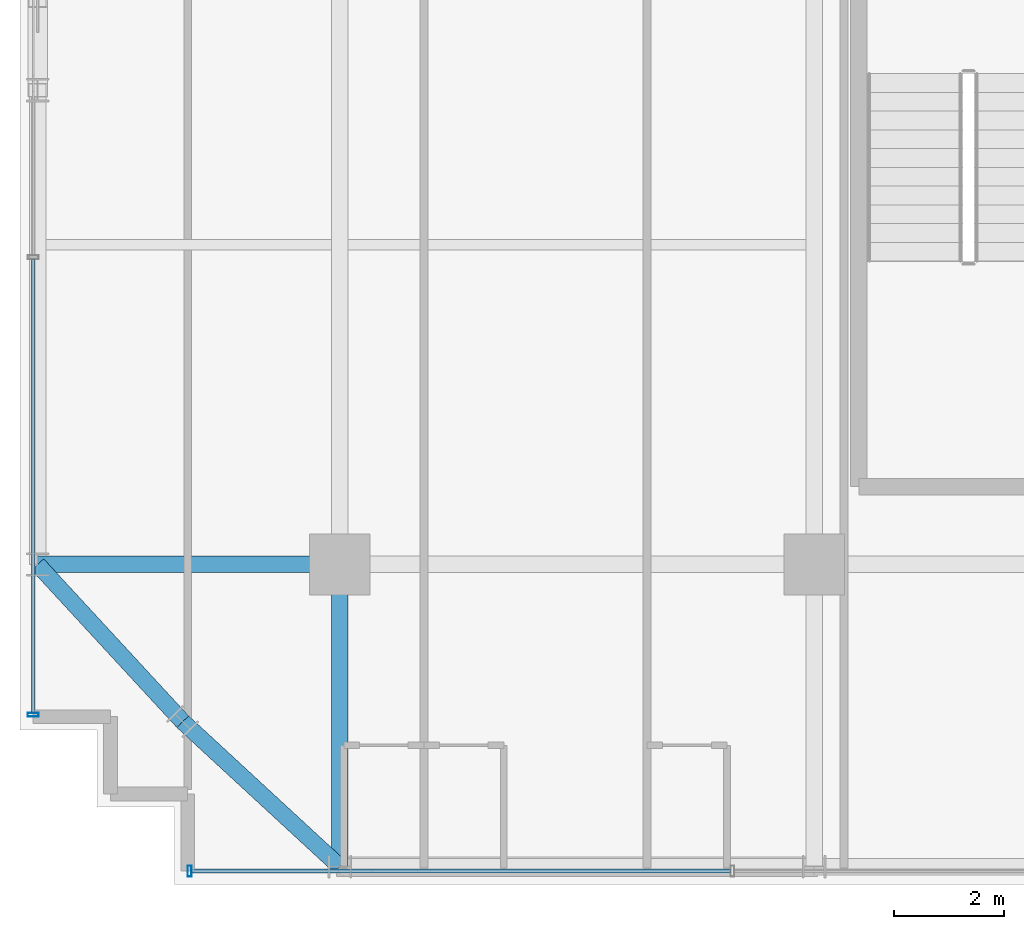
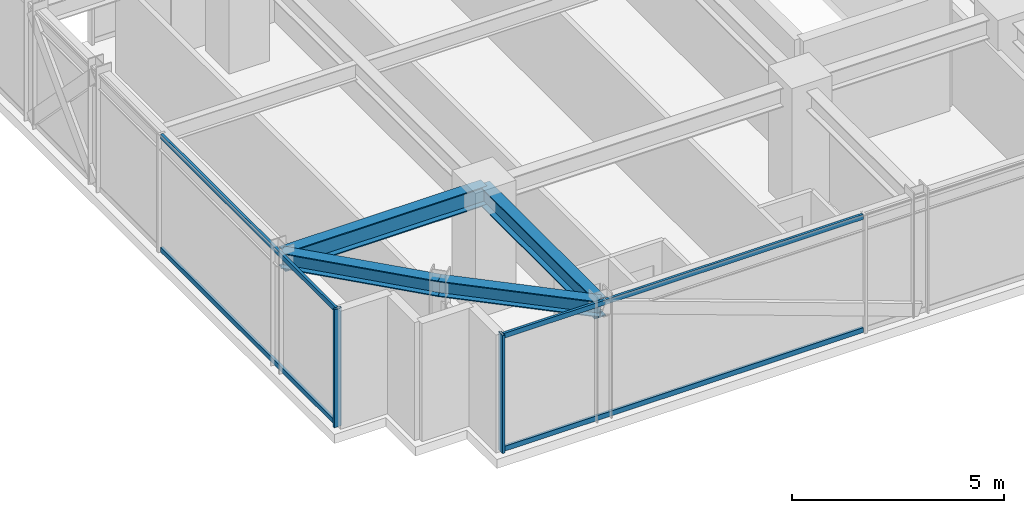
# One storey, part 2 of 36: 6 members, 4 beams, 2 elements without a shape of their own.
"""IFC4 building model written with IfcOpenShell, lengths in metres."""

import ifcopenshell
import ifcopenshell.guid

model = None  # the IFC model being written
_history = None  # IfcOwnerHistory: only IFC2X3 demands one
_inside = {}  # id of a spatial element -> (the spatial element, [elements in it])
_under = {}  # id of a project, library or spatial element -> (it, [spatial elements below it])
_declared = {}  # id of a project -> (the project, [libraries it declares])
_typed = {}  # id of a type object -> (the type object, [elements of that type])
_made_of = {}  # id of a material, layer set ... -> (it, [elements and type objects made of it])


def new_model(schema):
    """Start an empty IFC model of exactly this schema.

    Asked for "IFC4X3", IfcOpenShell would pick the latest addendum, in which some entities
    have other attributes; the version numbers below select the first issue.
    IFC2X3 requires an IfcOwnerHistory on every rooted entity: one is made here for all.
    """
    global model, _history
    if schema == "IFC4X3":
        model = ifcopenshell.file(schema_version=(4, 3, 0, 0))
    else:
        model = ifcopenshell.file(schema=schema)
    _inside.clear()
    _under.clear()
    _declared.clear()
    _typed.clear()
    _made_of.clear()
    _history = None
    if model.schema == "IFC2X3":
        org = make("IfcOrganization", Name="unknown")
        user = make(
            "IfcPersonAndOrganization",
            ThePerson=make("IfcPerson", FamilyName="unknown"),
            TheOrganization=org,
        )
        app = make(
            "IfcApplication",
            ApplicationDeveloper=org,
            Version="unknown",
            ApplicationFullName="unknown",
            ApplicationIdentifier="unknown",
        )
        _history = make(
            "IfcOwnerHistory",
            OwningUser=user,
            OwningApplication=app,
            ChangeAction="ADDED",
            CreationDate=0,
        )
    return model


def make(cls, **values):
    """One entity of the class cls with the attributes given. An attribute that is None is left unset."""
    return model.create_entity(
        cls, **{name: value for name, value in values.items() if value is not None}
    )


def rooted(cls, **values):
    """An entity with a GlobalId (a new one), such as an element, a storey or a relation."""
    return make(cls, GlobalId=ifcopenshell.guid.new(), OwnerHistory=_history, **values)


def si_unit(unit_type, name, prefix=None):
    """IfcSIUnit, for example si_unit("LENGTHUNIT", "METRE", prefix="MILLI")."""
    return make("IfcSIUnit", UnitType=unit_type, Prefix=prefix, Name=name)


def assignment(units):
    """IfcUnitAssignment: the units of a project."""
    return None if units is None else make("IfcUnitAssignment", Units=units)


def point(xyz):
    """IfcCartesianPoint."""
    return None if xyz is None else make("IfcCartesianPoint", Coordinates=xyz)


def direction(xyz):
    """IfcDirection."""
    return None if xyz is None else make("IfcDirection", DirectionRatios=xyz)


def frame(location, z_axis=None, x_axis=None):
    """IfcAxis2Placement3D, a coordinate frame: its origin and axes. An axis left out is left unset."""
    return make(
        "IfcAxis2Placement3D",
        Location=point(location),
        Axis=direction(z_axis),
        RefDirection=direction(x_axis),
    )


def frame_2d(location, x_axis=None):
    """IfcAxis2Placement2D, a coordinate frame in the plane: its origin and x axis."""
    return make(
        "IfcAxis2Placement2D", Location=point(location), RefDirection=direction(x_axis)
    )


def origin():
    """The frame at (0, 0, 0) with its axes left unset."""
    return frame((0.0, 0.0, 0.0))


def origin_2d():
    """The frame at (0, 0) in the plane with its x axis left unset."""
    return frame_2d((0.0, 0.0))


def place(relative_to, where):
    """IfcLocalPlacement: puts the frame where relative to a parent placement (None: the world)."""
    return make(
        "IfcLocalPlacement", PlacementRelTo=relative_to, RelativePlacement=where
    )


def context(
    kind, dimensions, precision=None, world=None, true_north=None, identifier=None
):
    """IfcGeometricRepresentationContext, for example the 3D "Model" context."""
    return make(
        "IfcGeometricRepresentationContext",
        ContextIdentifier=identifier,
        ContextType=kind,
        CoordinateSpaceDimension=dimensions,
        Precision=precision,
        WorldCoordinateSystem=world,
        TrueNorth=true_north,
    )


def subcontext(parent, identifier, kind, view, scale=None):
    """IfcGeometricRepresentationSubContext, for example "Body" below "Model"."""
    return make(
        "IfcGeometricRepresentationSubContext",
        ContextIdentifier=identifier,
        ContextType=kind,
        ParentContext=parent,
        TargetScale=scale,
        TargetView=view,
    )


def project(units=None, contexts=None):
    """IfcProject with its units and contexts."""
    return rooted(
        "IfcProject",
        Name="project",
        RepresentationContexts=contexts,
        UnitsInContext=assignment(units),
    )


def spatial(cls, under=None, at=None, **own):
    """A site, building, storey or space (cls), placed at a placement, below another one or the project."""
    s = rooted(cls, ObjectPlacement=at, **own)
    if under is not None:
        _under.setdefault(under.id(), (under, []))[1].append(s)
    return s


def profile(cls, at=None, kind="AREA", **sizes):
    """A parametric profile (cls). Its sizes go by their IFC names, for example OverallWidth=200.0."""
    return make(cls, ProfileType=kind, Position=at, **sizes)


def hollow_rectangle(**sizes):
    """IfcRectangleHollowProfileDef."""
    return profile("IfcRectangleHollowProfileDef", **sizes)


def i_section(**sizes):
    """IfcIShapeProfileDef."""
    return profile("IfcIShapeProfileDef", **sizes)


def extrude(swept, where, along, depth):
    """IfcExtrudedAreaSolid: the profile swept, set in the frame where, extruded along a direction by depth."""
    return make(
        "IfcExtrudedAreaSolid",
        SweptArea=swept,
        Position=where,
        ExtrudedDirection=direction(along),
        Depth=depth,
    )


def shape(context_of_items, identifier, shape_type, items):
    """IfcShapeRepresentation: the items that make up one representation, for example the "Body"."""
    return make(
        "IfcShapeRepresentation",
        ContextOfItems=context_of_items,
        RepresentationIdentifier=identifier,
        RepresentationType=shape_type,
        Items=items,
    )


def source(mapping_origin, context_of_items, identifier, shape_type, items):
    """IfcRepresentationMap: a shape defined once, which mapped items show again and again."""
    return make(
        "IfcRepresentationMap",
        MappingOrigin=mapping_origin,
        MappedRepresentation=shape(context_of_items, identifier, shape_type, items),
    )


def transform(
    local_origin,
    x_axis=None,
    y_axis=None,
    z_axis=None,
    scale=None,
    scale2=None,
    scale3=None,
    uniform=True,
):
    """IfcCartesianTransformationOperator3D, or its non-uniform kind. x_axis, y_axis, z_axis: its Axis1, 2, 3."""
    if uniform:
        return make(
            "IfcCartesianTransformationOperator3D",
            Axis1=direction(x_axis),
            Axis2=direction(y_axis),
            LocalOrigin=point(local_origin),
            Scale=scale,
            Axis3=direction(z_axis),
        )
    return make(
        "IfcCartesianTransformationOperator3DnonUniform",
        Axis1=direction(x_axis),
        Axis2=direction(y_axis),
        LocalOrigin=point(local_origin),
        Scale=scale,
        Axis3=direction(z_axis),
        Scale2=scale2,
        Scale3=scale3,
    )


def mapped(mapping_source, mapping_target):
    """IfcMappedItem: shows the shape of a source again, moved by a transform."""
    return make(
        "IfcMappedItem", MappingSource=mapping_source, MappingTarget=mapping_target
    )


def material(Name=None, Category=None):
    """IfcMaterial."""
    return make("IfcMaterial", Name=Name, Category=Category)


def material_profile(
    of_material, cross_section, Name=None, Category=None, Priority=None
):
    """IfcMaterialProfile: a cross section and its material."""
    return make(
        "IfcMaterialProfile",
        Name=Name,
        Material=of_material,
        Profile=cross_section,
        Priority=Priority,
        Category=Category,
    )


def profile_set(profiles, Name=None, composite=None):
    """IfcMaterialProfileSet."""
    return make(
        "IfcMaterialProfileSet",
        Name=Name,
        MaterialProfiles=profiles,
        CompositeProfile=composite,
    )


def made_of(thing, what):
    """Note that an element or type object is made of a material, layer set ...; save() writes the relation."""
    if what is not None:
        _made_of.setdefault(what.id(), (what, []))[1].append(thing)
    return thing


def type_object(cls, material=None, **own):
    """A type object (cls), such as IfcWallType, which elements share."""
    return made_of(rooted(cls, **own), material)


def element(
    cls,
    number,
    at=None,
    inside=None,
    cuts=None,
    type_object=None,
    material=None,
    context=None,
    identifier="Body",
    shape_type=None,
    held_by="IfcProductDefinitionShape",
    body=None,
    shapes=None,
    **own,
):
    """One element of the class cls, such as IfcWall. Its Tag is "e" and its number.

    at: its placement. inside: the storey or other place that contains it. cuts: it is an
    opening in that element (IfcRelVoidsElement). A single representation is given by context,
    identifier, shape_type and body (its items); several are given by shapes. held_by: the class
    of the entity that holds the representations. save() writes the other relations.
    """
    e = rooted(cls, Tag="e%d" % number, ObjectPlacement=at, **own)
    if body is not None:
        shapes = [shape(context, identifier, shape_type, body)]
    if shapes is not None:
        e.Representation = make(held_by, Representations=shapes)
    if inside is not None:
        _inside.setdefault(inside.id(), (inside, []))[1].append(e)
    if cuts is not None:
        rooted(
            "IfcRelVoidsElement", RelatingBuildingElement=cuts, RelatedOpeningElement=e
        )
    if type_object is not None:
        _typed.setdefault(type_object.id(), (type_object, []))[1].append(e)
    return made_of(e, material)


def aggregate(whole, parts):
    """IfcRelAggregates: a whole, such as a stair, and the parts it consists of."""
    return rooted("IfcRelAggregates", RelatingObject=whole, RelatedObjects=parts)


def save(model, path):
    """Write the relations noted so far, then the file.

    IfcRelAggregates (storeys below a building ...), IfcRelContainedInSpatialStructure (elements
    in a storey), IfcRelDefinesByType, IfcRelAssociatesMaterial and IfcRelDeclares: one each for
    every whole, place, type object, material and project.
    """
    for whole, parts in _under.values():
        aggregate(whole, parts)
    for where, things in _inside.values():
        rooted(
            "IfcRelContainedInSpatialStructure",
            RelatedElements=things,
            RelatingStructure=where,
        )
    for kind, things in _typed.values():
        rooted("IfcRelDefinesByType", RelatedObjects=things, RelatingType=kind)
    for what, things in _made_of.values():
        rooted("IfcRelAssociatesMaterial", RelatedObjects=things, RelatingMaterial=what)
    for by, libraries in _declared.values():
        rooted("IfcRelDeclares", RelatingContext=by, RelatedDefinitions=libraries)
    model.write(path)


model = new_model("IFC4")

# Units and contexts
model_context = context("Model", 3, precision=1e-05, world=origin(), true_north=direction((0.0, 1.0)))
body_context = subcontext(model_context, "Body", "Model", "MODEL_VIEW")
ifc_project = project(units=[si_unit("LENGTHUNIT", "METRE"), si_unit("AREAUNIT", "SQUARE_METRE"), si_unit("VOLUMEUNIT", "CUBIC_METRE"), si_unit("PLANEANGLEUNIT", "RADIAN"), si_unit("MASSUNIT", "GRAM", prefix="KILO")], contexts=[model_context])

# Site, building, storey
site_placement = place(None, origin())
site = spatial("IfcSite", under=ifc_project, at=site_placement, CompositionType="ELEMENT")
building_placement = place(site_placement, origin())
building = spatial("IfcBuilding", under=site, at=building_placement, Name="Nahalor Promenade Grand Hotel", CompositionType="ELEMENT")
storey_placement = place(building_placement, frame((0.0, 0.0, 174.550048828125)))
storey = spatial("IfcBuildingStorey", under=building, at=storey_placement, Name="L44", CompositionType="ELEMENT", Elevation=174.550048828125)

# Beams
ifc_material_1 = material(Name="Steel S355JR", Category="steel")
ifc_material_profile_1 = material_profile(ifc_material_1, i_section(OverallWidth=0.3, OverallDepth=0.55, WebThickness=0.015, FlangeThickness=0.029, at=origin_2d()), Name="HEB 550")
ifc_profile_set_1 = profile_set([ifc_material_profile_1], Name="Steel S355JR")
beam_type_1 = type_object("IfcBeamType", Name="Beam-Girder-HEB550", PredefinedType="BEAM", material=ifc_profile_set_1)
shared_shape_1 = source(origin(), body_context, "Body", "SweptSolid", [
    extrude(i_section(OverallWidth=0.3, OverallDepth=0.55, WebThickness=0.015, FlangeThickness=0.029, at=origin_2d()), origin(), (0.0, 0.0, 1.0), 5.47998046875),
])
for number, where, z_axis, x_axis, name in (
    (1, (-22.47998046875, -17.0, 3.114990234375), (1.0, 0.0, 0.0), (0.0, 1.0, 0.0), "BM-L44-GX-0-0"),
    (2, (-17.0, -22.47998046875, 3.114990234375), (0.0, 1.0, 0.0), (-1.0, 0.0, 0.0), "BM-L44-GY-0-0"),
):
    element("IfcBeam", number, at=place(storey_placement, frame(where, z_axis=z_axis, x_axis=x_axis)), inside=storey, type_object=beam_type_1, Name=name, PredefinedType="BEAM", context=body_context, shape_type="MappedRepresentation", body=[
        mapped(shared_shape_1, transform((0.0, 0.0, 0.0), scale=1.0)),
    ])
ifc_material_profile_2 = material_profile(ifc_material_1, i_section(OverallWidth=0.3, OverallDepth=0.45, WebThickness=0.014, FlangeThickness=0.026, at=origin_2d()), Name="HEB 450")
ifc_profile_set_2 = profile_set([ifc_material_profile_2], Name="Steel S355JR")
beam_type_2 = type_object("IfcBeamType", Name="Beam-Spandrel-HEB450", PredefinedType="SPANDREL", material=ifc_profile_set_2)
shared_shape_2 = source(origin(), body_context, "Body", "SweptSolid", [
    extrude(i_section(OverallWidth=0.3, OverallDepth=0.45, WebThickness=0.014, FlangeThickness=0.026, at=origin_2d()), origin(), (0.0, 0.0, 1.0), 3.878173828125),
])
for number, where, z_axis, x_axis, name in (
    (3, (-17.0, -22.47998046875, 3.1650390625), (-0.73492893846, 0.678144125843, 0.0), (-0.678144125843, -0.73492893846, 0.0), "BM-L44-SPC-SW-1"),
    (4, (-19.85009765625, -19.85009765625, 3.1650390625), (-0.678144125843, 0.73492893846, 0.0), (-0.73492893846, -0.678144125843, 0.0), "BM-L44-SPC-SW-2"),
):
    element("IfcBeam", number, at=place(storey_placement, frame(where, z_axis=z_axis, x_axis=x_axis)), inside=storey, type_object=beam_type_2, Name=name, PredefinedType="SPANDREL", context=body_context, shape_type="MappedRepresentation", body=[
        mapped(shared_shape_2, transform((0.0, 0.0, 0.0), scale=1.0)),
    ])

# Curtain wall, members
ifc_material_2 = material(Name="Anodised Bronze Aluminium EN AW-6063 T6", Category="aluminium")
curtain_wall_type = type_object("IfcCurtainWallType", Name="CW3 Elliptical-Void Collar Unitised Curtain Wall", PredefinedType="USERDEFINED", material=ifc_material_2)
curtain_wall_1_placement = place(storey_placement, origin())
curtain_wall_1 = element("IfcCurtainWall", 5, at=curtain_wall_1_placement, inside=storey, type_object=curtain_wall_type, Name="L44 Curtain Wall CW-L44-S-1", ObjectType="UNITISED_CURTAIN_WALL", PredefinedType="USERDEFINED")
ifc_material_profile_3 = material_profile(ifc_material_2, hollow_rectangle(XDim=0.07, YDim=0.14, WallThickness=0.004, at=origin_2d()), Name="CWT 70x140x4")
ifc_profile_set_3 = profile_set([ifc_material_profile_3], Name="Anodised Bronze Aluminium EN AW-6063 T6")
member_type_1 = type_object("IfcMemberType", Name="CWT3 Void Collar Transom 70x140", PredefinedType="USERDEFINED", material=ifc_profile_set_3)
shared_shape_3 = source(origin(), body_context, "Body", "SweptSolid", [
    extrude(hollow_rectangle(XDim=0.07, YDim=0.14, WallThickness=0.004, at=origin_2d()), origin(), (0.0, 0.0, 1.0), 9.77490234375),
])
member_1_placement = place(storey_placement, frame((-19.68994140625, -22.56005859375, 0.070068359375), z_axis=(1.0, 0.0, 0.0), x_axis=(0.0, 1.0, 0.0)))
member_1 = element("IfcMember", 6, at=member_1_placement, type_object=member_type_1, Name="CW-L44-S-1 Transom 0-0", ObjectType="TRANSOM", PredefinedType="USERDEFINED", context=body_context, shape_type="MappedRepresentation", body=[
    mapped(shared_shape_3, transform((0.0, 0.0, 0.0), scale=1.0)),
])
member_2_placement = place(storey_placement, frame((-19.68994140625, -22.56005859375, 3.320068359375), z_axis=(1.0, 0.0, 0.0), x_axis=(0.0, 1.0, 0.0)))
member_2 = element("IfcMember", 7, at=member_2_placement, type_object=member_type_1, Name="CW-L44-S-1 Transom 0-1", ObjectType="TRANSOM", PredefinedType="USERDEFINED", context=body_context, shape_type="MappedRepresentation", body=[
    mapped(shared_shape_3, transform((0.0, 0.0, 0.0), scale=1.0)),
])
ifc_material_profile_4 = material_profile(ifc_material_2, hollow_rectangle(XDim=0.07, YDim=0.2, WallThickness=0.005, at=origin_2d()), Name="CWM 70x200x5")
ifc_profile_set_4 = profile_set([ifc_material_profile_4], Name="Anodised Bronze Aluminium EN AW-6063 T6")
member_type_2 = type_object("IfcMemberType", Name="CWM3 Void Collar Mullion 70x200", PredefinedType="MULLION", material=ifc_profile_set_4)
shared_shape_4 = source(origin(), body_context, "Body", "SweptSolid", [
    extrude(hollow_rectangle(XDim=0.07, YDim=0.2, WallThickness=0.005, at=origin_2d()), origin(), (0.0, 0.0, 1.0), 3.389892578125),
])
member_3_placement = place(storey_placement, frame((-19.72509765625, -22.56005859375, 0.0), z_axis=(0.0, 0.0, 1.0), x_axis=(1.0, 0.0, 0.0)))
member_3 = element("IfcMember", 8, at=member_3_placement, type_object=member_type_2, Name="CW-L44-S-1 Mullion 0", PredefinedType="MULLION", context=body_context, shape_type="MappedRepresentation", body=[
    mapped(shared_shape_4, transform((0.0, 0.0, 0.0), scale=1.0)),
])
aggregate(curtain_wall_1, [member_3, member_1, member_2])

curtain_wall_2_placement = place(storey_placement, origin())
curtain_wall_2 = element("IfcCurtainWall", 9, at=curtain_wall_2_placement, inside=storey, type_object=curtain_wall_type, Name="L44 Curtain Wall CW-L44-W-1", ObjectType="UNITISED_CURTAIN_WALL", PredefinedType="USERDEFINED")
member_4_placement = place(storey_placement, frame((-22.56005859375, -19.72509765625, 0.0), z_axis=(0.0, 0.0, 1.0), x_axis=(0.0, 1.0, 0.0)))
member_4 = element("IfcMember", 10, at=member_4_placement, type_object=member_type_2, Name="CW-L44-W-1 Mullion 0", PredefinedType="MULLION", context=body_context, shape_type="MappedRepresentation", body=[
    mapped(shared_shape_4, transform((0.0, 0.0, 0.0), scale=1.0)),
])
shared_shape_5 = source(origin(), body_context, "Body", "SweptSolid", [
    extrude(hollow_rectangle(XDim=0.07, YDim=0.14, WallThickness=0.004, at=origin_2d()), origin(), (0.0, 0.0, 1.0), 8.224853515625),
])
member_5_placement = place(storey_placement, frame((-22.56005859375, -19.68994140625, 0.070068359375), z_axis=(0.0, 1.0, 0.0), x_axis=(-1.0, 0.0, 0.0)))
member_5 = element("IfcMember", 11, at=member_5_placement, type_object=member_type_1, Name="CW-L44-W-1 Transom 0-0", ObjectType="TRANSOM", PredefinedType="USERDEFINED", context=body_context, shape_type="MappedRepresentation", body=[
    mapped(shared_shape_5, transform((0.0, 0.0, 0.0), scale=1.0)),
])
member_6_placement = place(storey_placement, frame((-22.56005859375, -19.68994140625, 3.320068359375), z_axis=(0.0, 1.0, 0.0), x_axis=(-1.0, 0.0, 0.0)))
member_6 = element("IfcMember", 12, at=member_6_placement, type_object=member_type_1, Name="CW-L44-W-1 Transom 0-1", ObjectType="TRANSOM", PredefinedType="USERDEFINED", context=body_context, shape_type="MappedRepresentation", body=[
    mapped(shared_shape_5, transform((0.0, 0.0, 0.0), scale=1.0)),
])
aggregate(curtain_wall_2, [member_4, member_5, member_6])

save(model, "model.ifc")
